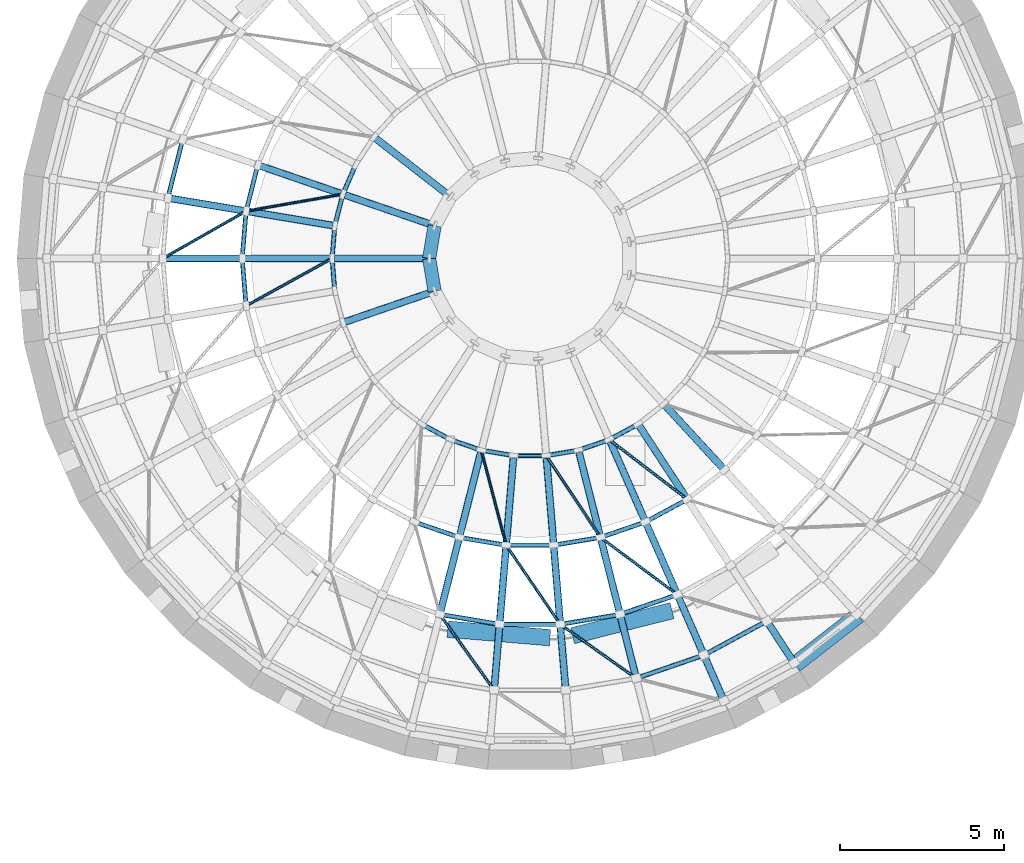
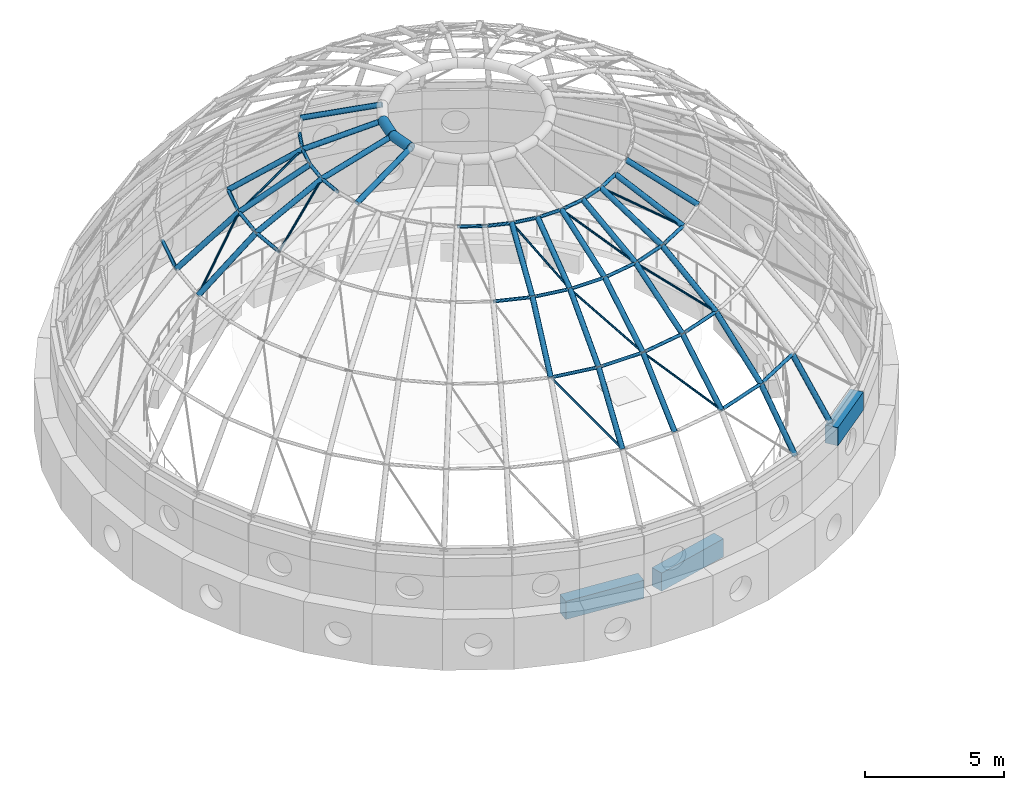
# One storey, part 29 of 98: 66 members, 3 beams.
"""IFC4 building model written with IfcOpenShell, lengths in metres."""

from ifc_helpers import new_model, si_unit, direction, frame, origin, origin_2d, place, context, subcontext, project, spatial, rectangle, hollow_circle, extrude, material, material_profile, profile_set, type_object, element, save


model = new_model("IFC4")

# Units and contexts
model_context = context("Model", 3, precision=1e-05, world=origin(), true_north=direction((0.0, 1.0)))
body_context = subcontext(model_context, "Body", "Model", "MODEL_VIEW")
ifc_project = project(units=[si_unit("LENGTHUNIT", "METRE"), si_unit("AREAUNIT", "SQUARE_METRE"), si_unit("VOLUMEUNIT", "CUBIC_METRE"), si_unit("PLANEANGLEUNIT", "RADIAN"), si_unit("MASSUNIT", "GRAM", prefix="KILO")], contexts=[model_context])

# Site, building, storey
site_placement = place(None, origin())
site = spatial("IfcSite", under=ifc_project, at=site_placement, CompositionType="ELEMENT")
building_placement = place(site_placement, origin())
building = spatial("IfcBuilding", under=site, at=building_placement, Name="Sun Court Science Centre", CompositionType="ELEMENT")
storey_placement = place(building_placement, frame((0.0, 0.0, 15.75)))
storey = spatial("IfcBuildingStorey", under=building, at=storey_placement, Name="L03", CompositionType="ELEMENT", Elevation=15.75)

# Members
ifc_material_1 = material(Name="Steel S355", Category="steel")
ifc_material_profile_1 = material_profile(ifc_material_1, hollow_circle(Radius=0.04443359375, WallThickness=0.0048828125, at=origin_2d()), Name="CHS 88.9x5")
ifc_profile_set_1 = profile_set([ifc_material_profile_1], Name="Steel S355")
member_type_1 = type_object("IfcMemberType", Name="Dome brace CHS 88.9x5", PredefinedType="BRACE", material=ifc_profile_set_1)
for number, where, z_axis, x_axis, name in (
    (1, (45.30859375, 98.75390625, 12.534912109375), (-0.88989946232, -0.155484842113, -0.428839609686), (0.172114427102, -0.985076963482, 0.0), "Dome brace 2.17"),
    (2, (44.982666015625, 96.800048828125, 12.534912109375), (-0.791214776394, -0.435992078147, -0.428824072795), (0.482618839877, -0.875830494671, 0.0), "Dome brace 2.19"),
):
    element("IfcMember", number, at=place(storey_placement, frame(where, z_axis=z_axis, x_axis=x_axis)), inside=storey, type_object=member_type_1, Name=name, PredefinedType="BRACE", context=body_context, shape_type="SweptSolid", body=[
        extrude(hollow_circle(Radius=0.04443359375, WallThickness=0.0048828125, at=origin_2d()), origin(), (0.0, 0.0, 1.0), 3.3037109375),
    ])
for number, where, z_axis, x_axis, name in (
    (3, (49.522705078125, 90.966796875, 12.534912109375), (0.228411758918, -0.874038914424, -0.428817029117), (0.96750860125, 0.252838103353, 0.0), "Dome brace 2.27"),
    (4, (51.496826171875, 90.80322265625, 12.534912109375), (0.499817624355, -0.752534400715, -0.428805688074), (0.83300543587, 0.553264804421, 0.0), "Dome brace 2.29"),
):
    element("IfcMember", number, at=place(storey_placement, frame(where, z_axis=z_axis, x_axis=x_axis)), inside=storey, type_object=member_type_1, Name=name, PredefinedType="BRACE", context=body_context, shape_type="SweptSolid", body=[
        extrude(hollow_circle(Radius=0.04443359375, WallThickness=0.0048828125, at=origin_2d()), origin(), (0.0, 0.0, 1.0), 3.303955078125),
    ])
member_1_placement = place(storey_placement, frame((53.417236328125, 91.289306640625, 12.534912109375), z_axis=(0.717066112997, -0.549457544072, -0.428850319872), x_axis=(0.608227151754, 0.793763019969, 0.0)))
element("IfcMember", 5, at=member_1_placement, inside=storey, type_object=member_type_1, Name="Dome brace 2.31", PredefinedType="BRACE", context=body_context, shape_type="SweptSolid", body=[
    extrude(hollow_circle(Radius=0.04443359375, WallThickness=0.0048828125, at=origin_2d()), origin(), (0.0, 0.0, 1.0), 3.3037109375),
])
for number, where, z_axis, x_axis, name in (
    (6, (42.36865234375, 98.240234375, 11.1181640625), (-0.727111529744, -0.413300338597, -0.548171189894), (0.494161959723, -0.86936986235, 0.0), "Dome brace 3.18"),
    (7, (50.27734375, 88.0791015625, 11.1181640625), (0.472004712538, -0.690456648666, -0.548161625486), (0.825537318662, 0.564347530779, 0.0), "Dome brace 3.28"),
):
    element("IfcMember", number, at=place(storey_placement, frame(where, z_axis=z_axis, x_axis=x_axis)), inside=storey, type_object=member_type_1, Name=name, PredefinedType="BRACE", context=body_context, shape_type="SweptSolid", body=[
        extrude(hollow_circle(Radius=0.04443359375, WallThickness=0.0048828125, at=origin_2d()), origin(), (0.0, 0.0, 1.0), 3.484619140625),
    ])
member_2_placement = place(storey_placement, frame((53.148193359375, 88.31689453125, 11.1181640625), z_axis=(0.670599431866, -0.499779098057, -0.548194541314), x_axis=(0.597571100514, 0.801815926401, 0.0)))
element("IfcMember", 8, at=member_2_placement, inside=storey, type_object=member_type_1, Name="Dome brace 3.30", PredefinedType="BRACE", context=body_context, shape_type="SweptSolid", body=[
    extrude(hollow_circle(Radius=0.04443359375, WallThickness=0.0048828125, at=origin_2d()), origin(), (0.0, 0.0, 1.0), 3.484375),
])
for number, where, z_axis, x_axis, name in (
    (9, (48.259033203125, 85.9765625, 9.2080078125), (0.45013829399, -0.627215732736, -0.635591017001), (0.812428309097, 0.583061096779, 0.0), "Dome brace 4.27"),
    (10, (51.922119140625, 85.673095703125, 9.2080078125), (0.629365007574, -0.447096434405, -0.635613456107), (0.579134854938, 0.815231758334, 0.0), "Dome brace 4.29"),
):
    element("IfcMember", number, at=place(storey_placement, frame(where, z_axis=z_axis, x_axis=x_axis)), inside=storey, type_object=member_type_1, Name=name, PredefinedType="BRACE", context=body_context, shape_type="SweptSolid", body=[
        extrude(hollow_circle(Radius=0.04443359375, WallThickness=0.0048828125, at=origin_2d()), origin(), (0.0, 0.0, 1.0), 3.6728515625),
    ])
ifc_material_2 = material(Name="Steel S355", Category="steel")
ifc_material_profile_2 = material_profile(ifc_material_2, hollow_circle(Radius=0.203125, WallThickness=0.012451171875, at=origin_2d()), Name="CHS 406.4x12.5")
ifc_profile_set_2 = profile_set([ifc_material_profile_2], Name="Steel S355")
member_type_2 = type_object("IfcMemberType", Name="Dome compression ring CHS 406.4x12.5", PredefinedType="MEMBER", material=ifc_profile_set_2)
for number, where, z_axis, x_axis, name in (
    (11, (48.1015625, 97.795166015625, 13.406005859375), (-0.164791381444, -0.986328444587, 0.0), (0.986328444587, -0.164791381444, 0.0), "Dome compression ring 9"),
    (12, (47.935302734375, 96.800048828125, 13.406005859375), (0.164791381444, -0.986328444587, 0.0), (0.986328444587, 0.164791381444, 0.0), "Dome compression ring 10"),
):
    element("IfcMember", number, at=place(storey_placement, frame(where, z_axis=z_axis, x_axis=x_axis)), inside=storey, type_object=member_type_2, Name=name, PredefinedType="MEMBER", context=body_context, shape_type="SweptSolid", body=[
        extrude(hollow_circle(Radius=0.203125, WallThickness=0.012451171875, at=origin_2d()), origin(), (0.0, 0.0, 1.0), 1.0087890625),
    ])
ifc_material_3 = material(Name="Steel S355", Category="steel")
ifc_material_profile_3 = material_profile(ifc_material_3, hollow_circle(Radius=0.109619140625, WallThickness=0.010009765625, at=origin_2d()), Name="CHS 219.1x10")
ifc_profile_set_3 = profile_set([ifc_material_profile_3], Name="Steel S355")
member_type_3 = type_object("IfcMemberType", Name="Dome rib CHS 219.1x10", PredefinedType="RAFTER", material=ifc_profile_set_3)
member_3_placement = place(storey_placement, frame((46.25146484375, 100.495849609375, 12.534912109375), z_axis=(0.756903324082, -0.589090307133, 0.282966372624), x_axis=(0.614192456885, 0.789156274705, 0.0)))
element("IfcMember", 13, at=member_3_placement, inside=storey, type_object=member_type_3, Name="Dome rib 15", PredefinedType="RAFTER", context=body_context, shape_type="SweptSolid", body=[
    extrude(hollow_circle(Radius=0.109619140625, WallThickness=0.010009765625, at=origin_2d()), origin(), (0.0, 0.0, 1.0), 3.078369140625),
])
member_4_placement = place(storey_placement, frame((42.723388671875, 99.641357421875, 11.1181640625), z_axis=(0.839722834307, -0.288260695316, 0.460186193926), x_axis=(0.324682825787, 0.945822955229, 0.0)))
element("IfcMember", 14, at=member_4_placement, inside=storey, type_object=member_type_3, Name="Dome rib 17", PredefinedType="RAFTER", context=body_context, shape_type="SweptSolid", body=[
    extrude(hollow_circle(Radius=0.109619140625, WallThickness=0.010009765625, at=origin_2d()), origin(), (0.0, 0.0, 1.0), 3.07861328125),
])
member_5_placement = place(storey_placement, frame((45.30859375, 98.75390625, 12.534912109375), z_axis=(0.907178120378, -0.311406335553, 0.282938071111), x_axis=(0.324673068091, 0.945826304803, 0.0)))
element("IfcMember", 15, at=member_5_placement, inside=storey, type_object=member_type_3, Name="Dome rib 17", PredefinedType="RAFTER", context=body_context, shape_type="SweptSolid", body=[
    extrude(hollow_circle(Radius=0.109619140625, WallThickness=0.010009765625, at=origin_2d()), origin(), (0.0, 0.0, 1.0), 3.078857421875),
])
for number, where, z_axis, x_axis, name in (
    (16, (39.9873046875, 98.6376953125, 9.2080078125), (0.773528223597, -0.12910641255, 0.620472095696), (0.164628559834, 0.986355634286, 0.0), "Dome rib 18"),
    (17, (42.36865234375, 98.240234375, 11.1181640625), (0.875723846543, -0.146072926318, 0.460185228786), (0.164529346299, 0.98637218848, 0.0), "Dome rib 18"),
    (18, (39.8349609375, 96.800048828125, 9.2080078125), (0.784230717941, 0.0, 0.620469323205), (0.0, 1.0, 0.0), "Dome rib 19"),
):
    element("IfcMember", number, at=place(storey_placement, frame(where, z_axis=z_axis, x_axis=x_axis)), inside=storey, type_object=member_type_3, Name=name, PredefinedType="RAFTER", context=body_context, shape_type="SweptSolid", body=[
        extrude(hollow_circle(Radius=0.109619140625, WallThickness=0.010009765625, at=origin_2d()), origin(), (0.0, 0.0, 1.0), 3.07861328125),
    ])
member_6_placement = place(storey_placement, frame((42.249267578125, 96.800048828125, 11.1181640625), z_axis=(0.887830132015, 0.0, 0.460171334055), x_axis=(0.0, 1.0, 0.0)))
element("IfcMember", 19, at=member_6_placement, inside=storey, type_object=member_type_3, Name="Dome rib 19", PredefinedType="RAFTER", context=body_context, shape_type="SweptSolid", body=[
    extrude(hollow_circle(Radius=0.109619140625, WallThickness=0.010009765625, at=origin_2d()), origin(), (0.0, 0.0, 1.0), 3.078857421875),
])
member_7_placement = place(storey_placement, frame((44.982666015625, 96.800048828125, 12.534912109375), z_axis=(0.959130281109, 0.0, 0.282964845626), x_axis=(0.0, 1.0, 0.0)))
element("IfcMember", 20, at=member_7_placement, inside=storey, type_object=member_type_3, Name="Dome rib 19", PredefinedType="RAFTER", context=body_context, shape_type="SweptSolid", body=[
    extrude(hollow_circle(Radius=0.109619140625, WallThickness=0.010009765625, at=origin_2d()), origin(), (0.0, 0.0, 1.0), 3.078369140625),
])
member_8_placement = place(storey_placement, frame((45.30859375, 94.84619140625, 12.534912109375), z_axis=(0.907178120378, 0.311406335553, 0.282938071111), x_axis=(-0.324673068091, 0.945826304803, 0.0)))
element("IfcMember", 21, at=member_8_placement, inside=storey, type_object=member_type_3, Name="Dome rib 21", PredefinedType="RAFTER", context=body_context, shape_type="SweptSolid", body=[
    extrude(hollow_circle(Radius=0.109619140625, WallThickness=0.010009765625, at=origin_2d()), origin(), (0.0, 0.0, 1.0), 3.078857421875),
])
member_9_placement = place(storey_placement, frame((48.259033203125, 85.9765625, 9.2080078125), z_axis=(0.192551982842, 0.760215530282, 0.620480524611), x_axis=(-0.969388349726, 0.245532538403, 0.0)))
element("IfcMember", 22, at=member_9_placement, inside=storey, type_object=member_type_3, Name="Dome rib 27", PredefinedType="RAFTER", context=body_context, shape_type="SweptSolid", body=[
    extrude(hollow_circle(Radius=0.109619140625, WallThickness=0.010009765625, at=origin_2d()), origin(), (0.0, 0.0, 1.0), 3.07861328125),
])
member_10_placement = place(storey_placement, frame((48.851806640625, 88.31689453125, 11.1181640625), z_axis=(0.217906162725, 0.860681764997, 0.460156281765), x_axis=(-0.969413146722, 0.245434616472, 0.0)))
element("IfcMember", 23, at=member_10_placement, inside=storey, type_object=member_type_3, Name="Dome rib 27", PredefinedType="RAFTER", context=body_context, shape_type="SweptSolid", body=[
    extrude(hollow_circle(Radius=0.109619140625, WallThickness=0.010009765625, at=origin_2d()), origin(), (0.0, 0.0, 1.0), 3.078857421875),
])
for number, where, z_axis, x_axis, name in (
    (24, (49.912353515625, 83.6728515625, 6.87353515625), (0.053766061004, 0.64971288762, 0.758275922303), (-0.996593410003, 0.082471662637, 0.0), "Dome rib 28"),
    (25, (50.077880859375, 85.673095703125, 9.2080078125), (0.064791603479, 0.781543760452, 0.620476751068), (-0.996581234746, 0.082618657411, 0.0), "Dome rib 28"),
):
    element("IfcMember", number, at=place(storey_placement, frame(where, z_axis=z_axis, x_axis=x_axis)), inside=storey, type_object=member_type_3, Name=name, PredefinedType="RAFTER", context=body_context, shape_type="SweptSolid", body=[
        extrude(hollow_circle(Radius=0.109619140625, WallThickness=0.010009765625, at=origin_2d()), origin(), (0.0, 0.0, 1.0), 3.07861328125),
    ])
member_11_placement = place(storey_placement, frame((50.27734375, 88.0791015625, 11.1181640625), z_axis=(0.073350029759, 0.884799602217, 0.460162402909), x_axis=(-0.996581392194, 0.082616758181, 0.0)))
element("IfcMember", 26, at=member_11_placement, inside=storey, type_object=member_type_3, Name="Dome rib 28", PredefinedType="RAFTER", context=body_context, shape_type="SweptSolid", body=[
    extrude(hollow_circle(Radius=0.109619140625, WallThickness=0.010009765625, at=origin_2d()), origin(), (0.0, 0.0, 1.0), 3.078857421875),
])
for number, where, z_axis, x_axis, name in (
    (27, (52.087646484375, 83.6728515625, 6.87353515625), (-0.053766061004, 0.64971288762, 0.758275922303), (-0.996593410003, -0.082471662637, 0.0), "Dome rib 29"),
    (28, (51.922119140625, 85.673095703125, 9.2080078125), (-0.064791603479, 0.781543760452, 0.620476751068), (-0.996581234746, -0.082618657411, 0.0), "Dome rib 29"),
):
    element("IfcMember", number, at=place(storey_placement, frame(where, z_axis=z_axis, x_axis=x_axis)), inside=storey, type_object=member_type_3, Name=name, PredefinedType="RAFTER", context=body_context, shape_type="SweptSolid", body=[
        extrude(hollow_circle(Radius=0.109619140625, WallThickness=0.010009765625, at=origin_2d()), origin(), (0.0, 0.0, 1.0), 3.07861328125),
    ])
member_12_placement = place(storey_placement, frame((51.72265625, 88.0791015625, 11.1181640625), z_axis=(-0.073350029759, 0.884799602217, 0.460162402909), x_axis=(-0.996581392194, -0.082616758181, 0.0)))
element("IfcMember", 29, at=member_12_placement, inside=storey, type_object=member_type_3, Name="Dome rib 29", PredefinedType="RAFTER", context=body_context, shape_type="SweptSolid", body=[
    extrude(hollow_circle(Radius=0.109619140625, WallThickness=0.010009765625, at=origin_2d()), origin(), (0.0, 0.0, 1.0), 3.078857421875),
])
for number, where, z_axis, x_axis, name in (
    (30, (54.233642578125, 84.031005859375, 6.87353515625), (-0.160033215903, 0.631964666764, 0.758294157811), (-0.96940098593, -0.245482643946, 0.0), "Dome rib 30"),
    (31, (53.740966796875, 85.9765625, 9.2080078125), (-0.192551982842, 0.760215530282, 0.620480524611), (-0.969388349726, -0.245532538403, 0.0), "Dome rib 30"),
):
    element("IfcMember", number, at=place(storey_placement, frame(where, z_axis=z_axis, x_axis=x_axis)), inside=storey, type_object=member_type_3, Name=name, PredefinedType="RAFTER", context=body_context, shape_type="SweptSolid", body=[
        extrude(hollow_circle(Radius=0.109619140625, WallThickness=0.010009765625, at=origin_2d()), origin(), (0.0, 0.0, 1.0), 3.07861328125),
    ])
member_13_placement = place(storey_placement, frame((53.148193359375, 88.31689453125, 11.1181640625), z_axis=(-0.217906162725, 0.860681764997, 0.460156281765), x_axis=(-0.969413146722, -0.245434616472, 0.0)))
element("IfcMember", 32, at=member_13_placement, inside=storey, type_object=member_type_3, Name="Dome rib 30", PredefinedType="RAFTER", context=body_context, shape_type="SweptSolid", body=[
    extrude(hollow_circle(Radius=0.109619140625, WallThickness=0.010009765625, at=origin_2d()), origin(), (0.0, 0.0, 1.0), 3.078857421875),
])
member_14_placement = place(storey_placement, frame((56.904541015625, 83.33935546875, 4.35009765625), z_axis=(-0.207944372244, 0.474000587368, 0.855618245029), x_axis=(-0.915753115057, -0.401741499305, 0.0)))
element("IfcMember", 33, at=member_14_placement, inside=storey, type_object=member_type_3, Name="Dome rib 31", PredefinedType="RAFTER", context=body_context, shape_type="SweptSolid", body=[
    extrude(hollow_circle(Radius=0.109619140625, WallThickness=0.010009765625, at=origin_2d()), origin(), (0.0, 0.0, 1.0), 2.94921875),
])
member_15_placement = place(storey_placement, frame((56.291259765625, 84.7373046875, 6.87353515625), z_axis=(-0.261922294171, 0.597036921832, 0.758250371438), x_axis=(-0.915752099138, -0.401743815042, 0.0)))
element("IfcMember", 34, at=member_15_placement, inside=storey, type_object=member_type_3, Name="Dome rib 31", PredefinedType="RAFTER", context=body_context, shape_type="SweptSolid", body=[
    extrude(hollow_circle(Radius=0.109619140625, WallThickness=0.010009765625, at=origin_2d()), origin(), (0.0, 0.0, 1.0), 3.078857421875),
])
for number, where, z_axis, x_axis, name in (
    (35, (55.48486328125, 86.575439453125, 9.2080078125), (-0.314997221206, 0.718180975641, 0.62047791005), (-0.91578559843, -0.401667446661, 0.0), "Dome rib 31"),
    (36, (54.51513671875, 88.786376953125, 11.1181640625), (-0.356633815491, 0.813033105717, 0.460205922013), (-0.915771491056, -0.401699609372, 0.0), "Dome rib 31"),
):
    element("IfcMember", number, at=place(storey_placement, frame(where, z_axis=z_axis, x_axis=x_axis)), inside=storey, type_object=member_type_3, Name=name, PredefinedType="RAFTER", context=body_context, shape_type="SweptSolid", body=[
        extrude(hollow_circle(Radius=0.109619140625, WallThickness=0.010009765625, at=origin_2d()), origin(), (0.0, 0.0, 1.0), 3.07861328125),
    ])
member_16_placement = place(storey_placement, frame((59.03955078125, 84.49462890625, 4.35009765625), z_axis=(-0.283180847183, 0.433338712366, 0.855585278131), x_axis=(-0.837107620149, -0.547038236587, 0.0)))
element("IfcMember", 37, at=member_16_placement, inside=storey, type_object=member_type_3, Name="Dome rib 32", PredefinedType="RAFTER", context=body_context, shape_type="SweptSolid", body=[
    extrude(hollow_circle(Radius=0.109619140625, WallThickness=0.010009765625, at=origin_2d()), origin(), (0.0, 0.0, 1.0), 2.949462890625),
])
member_17_placement = place(storey_placement, frame((55.7861328125, 89.47412109375, 11.1181640625), z_axis=(-0.485556373275, 0.743282686054, 0.460180244017), x_axis=(-0.837194555092, -0.546905180927, 0.0)))
element("IfcMember", 38, at=member_17_placement, inside=storey, type_object=member_type_3, Name="Dome rib 32", PredefinedType="RAFTER", context=body_context, shape_type="SweptSolid", body=[
    extrude(hollow_circle(Radius=0.109619140625, WallThickness=0.010009765625, at=origin_2d()), origin(), (0.0, 0.0, 1.0), 3.07861328125),
])
member_18_placement = place(storey_placement, frame((56.9267578125, 90.36181640625, 11.1181640625), z_axis=(-0.601323996886, 0.653185515278, 0.460171852029), x_axis=(-0.735710232443, -0.677296429843, 0.0)))
element("IfcMember", 39, at=member_18_placement, inside=storey, type_object=member_type_3, Name="Dome rib 33", PredefinedType="RAFTER", context=body_context, shape_type="SweptSolid", body=[
    extrude(hollow_circle(Radius=0.109619140625, WallThickness=0.010009765625, at=origin_2d()), origin(), (0.0, 0.0, 1.0), 3.078857421875),
])
ifc_material_4 = material(Name="Steel S355", Category="steel")
ifc_material_profile_4 = material_profile(ifc_material_4, hollow_circle(Radius=0.06982421875, WallThickness=0.00634765625, at=origin_2d()), Name="CHS 139.7x6.3")
ifc_profile_set_4 = profile_set([ifc_material_profile_4], Name="Steel S355")
member_type_4 = type_object("IfcMemberType", Name="Dome ring CHS 139.7x6.3", PredefinedType="MEMBER", material=ifc_profile_set_4)
member_19_placement = place(storey_placement, frame((45.707763671875, 99.6640625, 12.534912109375), z_axis=(-0.401643422927, -0.915796134967, 0.0), x_axis=(0.915796134967, -0.401643422927, 0.0)))
element("IfcMember", 40, at=member_19_placement, inside=storey, type_object=member_type_4, Name="Dome ring 2 chord 16", PredefinedType="MEMBER", context=body_context, shape_type="SweptSolid", body=[
    extrude(hollow_circle(Radius=0.06982421875, WallThickness=0.00634765625, at=origin_2d()), origin(), (0.0, 0.0, 1.0), 0.993896484375),
])
member_20_placement = place(storey_placement, frame((45.30859375, 98.75390625, 12.534912109375), z_axis=(-0.245424789416, -0.969415634669, 0.0), x_axis=(0.969415634669, -0.245424789416, 0.0)))
element("IfcMember", 41, at=member_20_placement, inside=storey, type_object=member_type_4, Name="Dome ring 2 chord 17", PredefinedType="MEMBER", context=body_context, shape_type="SweptSolid", body=[
    extrude(hollow_circle(Radius=0.06982421875, WallThickness=0.00634765625, at=origin_2d()), origin(), (0.0, 0.0, 1.0), 0.99365234375),
])
member_21_placement = place(storey_placement, frame((42.723388671875, 99.641357421875, 11.1181640625), z_axis=(-0.245435932736, -0.969412813471, 0.0), x_axis=(0.969412813471, -0.245435932736, 0.0)))
element("IfcMember", 42, at=member_21_placement, inside=storey, type_object=member_type_4, Name="Dome ring 3 chord 17", PredefinedType="MEMBER", context=body_context, shape_type="SweptSolid", body=[
    extrude(hollow_circle(Radius=0.06982421875, WallThickness=0.00634765625, at=origin_2d()), origin(), (0.0, 0.0, 1.0), 1.4453125),
])
member_22_placement = place(storey_placement, frame((40.43994140625, 100.42529296875, 9.2080078125), z_axis=(-0.245462815718, -0.969406006841, 0.0), x_axis=(0.969406006841, -0.245462815718, 0.0)))
element("IfcMember", 43, at=member_22_placement, inside=storey, type_object=member_type_4, Name="Dome ring 4 chord 17", PredefinedType="MEMBER", context=body_context, shape_type="SweptSolid", body=[
    extrude(hollow_circle(Radius=0.06982421875, WallThickness=0.00634765625, at=origin_2d()), origin(), (0.0, 0.0, 1.0), 1.843994140625),
])
member_23_placement = place(storey_placement, frame((45.064697265625, 97.79052734375, 12.534912109375), z_axis=(-0.082537234849, -0.996587981497, 0.0), x_axis=(0.996587981497, -0.082537234849, 0.0)))
element("IfcMember", 44, at=member_23_placement, inside=storey, type_object=member_type_4, Name="Dome ring 2 chord 18", PredefinedType="MEMBER", context=body_context, shape_type="SweptSolid", body=[
    extrude(hollow_circle(Radius=0.06982421875, WallThickness=0.00634765625, at=origin_2d()), origin(), (0.0, 0.0, 1.0), 0.993896484375),
])
member_24_placement = place(storey_placement, frame((42.36865234375, 98.240234375, 11.1181640625), z_axis=(-0.082612051463, -0.996581782371, 0.0), x_axis=(0.996581782371, -0.082612051463, 0.0)))
element("IfcMember", 45, at=member_24_placement, inside=storey, type_object=member_type_4, Name="Dome ring 3 chord 18", PredefinedType="MEMBER", context=body_context, shape_type="SweptSolid", body=[
    extrude(hollow_circle(Radius=0.06982421875, WallThickness=0.00634765625, at=origin_2d()), origin(), (0.0, 0.0, 1.0), 1.445068359375),
])
member_25_placement = place(storey_placement, frame((44.982666015625, 96.800048828125, 12.534912109375), z_axis=(0.082537234849, -0.996587981497, 0.0), x_axis=(0.996587981497, 0.082537234849, 0.0)))
element("IfcMember", 46, at=member_25_placement, inside=storey, type_object=member_type_4, Name="Dome ring 2 chord 19", PredefinedType="MEMBER", context=body_context, shape_type="SweptSolid", body=[
    extrude(hollow_circle(Radius=0.06982421875, WallThickness=0.00634765625, at=origin_2d()), origin(), (0.0, 0.0, 1.0), 0.993896484375),
])
member_26_placement = place(storey_placement, frame((42.249267578125, 96.800048828125, 11.1181640625), z_axis=(0.082598144957, -0.996582935058, 0.0), x_axis=(0.996582935058, 0.082598144957, 0.0)))
element("IfcMember", 47, at=member_26_placement, inside=storey, type_object=member_type_4, Name="Dome ring 3 chord 19", PredefinedType="MEMBER", context=body_context, shape_type="SweptSolid", body=[
    extrude(hollow_circle(Radius=0.06982421875, WallThickness=0.00634765625, at=origin_2d()), origin(), (0.0, 0.0, 1.0), 1.4453125),
])
member_27_placement = place(storey_placement, frame((47.708740234375, 91.762451171875, 12.534912109375), z_axis=(0.879411958848, -0.476061557611, 0.0), x_axis=(0.476061557611, 0.879411958848, 0.0)))
element("IfcMember", 48, at=member_27_placement, inside=storey, type_object=member_type_4, Name="Dome ring 2 chord 25", PredefinedType="MEMBER", context=body_context, shape_type="SweptSolid", body=[
    extrude(hollow_circle(Radius=0.06982421875, WallThickness=0.00634765625, at=origin_2d()), origin(), (0.0, 0.0, 1.0), 0.993896484375),
])
member_28_placement = place(storey_placement, frame((48.582763671875, 91.289306640625, 12.534912109375), z_axis=(0.945870547225, -0.324544153996, 0.0), x_axis=(0.324544153996, 0.945870547225, 0.0)))
element("IfcMember", 49, at=member_28_placement, inside=storey, type_object=member_type_4, Name="Dome ring 2 chord 26", PredefinedType="MEMBER", context=body_context, shape_type="SweptSolid", body=[
    extrude(hollow_circle(Radius=0.06982421875, WallThickness=0.00634765625, at=origin_2d()), origin(), (0.0, 0.0, 1.0), 0.99365234375),
])
member_29_placement = place(storey_placement, frame((47.48486328125, 88.786376953125, 11.1181640625), z_axis=(0.945772574298, -0.324829551773, 0.0), x_axis=(0.324829551773, 0.945772574298, 0.0)))
element("IfcMember", 50, at=member_29_placement, inside=storey, type_object=member_type_4, Name="Dome ring 3 chord 26", PredefinedType="MEMBER", context=body_context, shape_type="SweptSolid", body=[
    extrude(hollow_circle(Radius=0.06982421875, WallThickness=0.00634765625, at=origin_2d()), origin(), (0.0, 0.0, 1.0), 1.4453125),
])
member_30_placement = place(storey_placement, frame((49.522705078125, 90.966796875, 12.534912109375), z_axis=(0.986367358599, -0.164558299368, 0.0), x_axis=(0.164558299368, 0.986367358599, 0.0)))
element("IfcMember", 51, at=member_30_placement, inside=storey, type_object=member_type_4, Name="Dome ring 2 chord 27", PredefinedType="MEMBER", context=body_context, shape_type="SweptSolid", body=[
    extrude(hollow_circle(Radius=0.06982421875, WallThickness=0.00634765625, at=origin_2d()), origin(), (0.0, 0.0, 1.0), 0.994140625),
])
member_31_placement = place(storey_placement, frame((48.851806640625, 88.31689453125, 11.1181640625), z_axis=(0.986371086203, -0.164535954438, 0.0), x_axis=(0.164535954438, 0.986371086203, 0.0)))
element("IfcMember", 52, at=member_31_placement, inside=storey, type_object=member_type_4, Name="Dome ring 3 chord 27", PredefinedType="MEMBER", context=body_context, shape_type="SweptSolid", body=[
    extrude(hollow_circle(Radius=0.06982421875, WallThickness=0.00634765625, at=origin_2d()), origin(), (0.0, 0.0, 1.0), 1.4453125),
])
member_32_placement = place(storey_placement, frame((48.259033203125, 85.9765625, 9.2080078125), z_axis=(0.986365282278, -0.164570744412, 0.0), x_axis=(0.164570744412, 0.986365282278, 0.0)))
element("IfcMember", 53, at=member_32_placement, inside=storey, type_object=member_type_4, Name="Dome ring 4 chord 27", PredefinedType="MEMBER", context=body_context, shape_type="SweptSolid", body=[
    extrude(hollow_circle(Radius=0.06982421875, WallThickness=0.00634765625, at=origin_2d()), origin(), (0.0, 0.0, 1.0), 1.843994140625),
])
member_33_placement = place(storey_placement, frame((50.503173828125, 90.80322265625, 12.534912109375), z_axis=(1.0, 0.0, 0.0), x_axis=(0.0, 1.0, 0.0)))
element("IfcMember", 54, at=member_33_placement, inside=storey, type_object=member_type_4, Name="Dome ring 2 chord 28", PredefinedType="MEMBER", context=body_context, shape_type="SweptSolid", body=[
    extrude(hollow_circle(Radius=0.06982421875, WallThickness=0.00634765625, at=origin_2d()), origin(), (0.0, 0.0, 1.0), 0.99365234375),
])
member_34_placement = place(storey_placement, frame((50.27734375, 88.0791015625, 11.1181640625), z_axis=(1.0, 0.0, 0.0), x_axis=(0.0, 1.0, 0.0)))
element("IfcMember", 55, at=member_34_placement, inside=storey, type_object=member_type_4, Name="Dome ring 3 chord 28", PredefinedType="MEMBER", context=body_context, shape_type="SweptSolid", body=[
    extrude(hollow_circle(Radius=0.06982421875, WallThickness=0.00634765625, at=origin_2d()), origin(), (0.0, 0.0, 1.0), 1.4453125),
])
member_35_placement = place(storey_placement, frame((50.077880859375, 85.673095703125, 9.2080078125), z_axis=(1.0, 0.0, 0.0), x_axis=(0.0, 1.0, 0.0)))
element("IfcMember", 56, at=member_35_placement, inside=storey, type_object=member_type_4, Name="Dome ring 4 chord 28", PredefinedType="MEMBER", context=body_context, shape_type="SweptSolid", body=[
    extrude(hollow_circle(Radius=0.06982421875, WallThickness=0.00634765625, at=origin_2d()), origin(), (0.0, 0.0, 1.0), 1.84423828125),
])
member_36_placement = place(storey_placement, frame((51.496826171875, 90.80322265625, 12.534912109375), z_axis=(0.986367358599, 0.164558299368, 0.0), x_axis=(-0.164558299368, 0.986367358599, 0.0)))
element("IfcMember", 57, at=member_36_placement, inside=storey, type_object=member_type_4, Name="Dome ring 2 chord 29", PredefinedType="MEMBER", context=body_context, shape_type="SweptSolid", body=[
    extrude(hollow_circle(Radius=0.06982421875, WallThickness=0.00634765625, at=origin_2d()), origin(), (0.0, 0.0, 1.0), 0.994140625),
])
member_37_placement = place(storey_placement, frame((51.72265625, 88.0791015625, 11.1181640625), z_axis=(0.986371086203, 0.164535954438, 0.0), x_axis=(-0.164535954438, 0.986371086203, 0.0)))
element("IfcMember", 58, at=member_37_placement, inside=storey, type_object=member_type_4, Name="Dome ring 3 chord 29", PredefinedType="MEMBER", context=body_context, shape_type="SweptSolid", body=[
    extrude(hollow_circle(Radius=0.06982421875, WallThickness=0.00634765625, at=origin_2d()), origin(), (0.0, 0.0, 1.0), 1.4453125),
])
member_38_placement = place(storey_placement, frame((51.922119140625, 85.673095703125, 9.2080078125), z_axis=(0.986365282278, 0.164570744412, 0.0), x_axis=(-0.164570744412, 0.986365282278, 0.0)))
element("IfcMember", 59, at=member_38_placement, inside=storey, type_object=member_type_4, Name="Dome ring 4 chord 29", PredefinedType="MEMBER", context=body_context, shape_type="SweptSolid", body=[
    extrude(hollow_circle(Radius=0.06982421875, WallThickness=0.00634765625, at=origin_2d()), origin(), (0.0, 0.0, 1.0), 1.843994140625),
])
member_39_placement = place(storey_placement, frame((52.477294921875, 90.966796875, 12.534912109375), z_axis=(0.945870547225, 0.324544153996, 0.0), x_axis=(-0.324544153996, 0.945870547225, 0.0)))
element("IfcMember", 60, at=member_39_placement, inside=storey, type_object=member_type_4, Name="Dome ring 2 chord 30", PredefinedType="MEMBER", context=body_context, shape_type="SweptSolid", body=[
    extrude(hollow_circle(Radius=0.06982421875, WallThickness=0.00634765625, at=origin_2d()), origin(), (0.0, 0.0, 1.0), 0.99365234375),
])
member_40_placement = place(storey_placement, frame((53.148193359375, 88.31689453125, 11.1181640625), z_axis=(0.945772574298, 0.324829551773, 0.0), x_axis=(-0.324829551773, 0.945772574298, 0.0)))
element("IfcMember", 61, at=member_40_placement, inside=storey, type_object=member_type_4, Name="Dome ring 3 chord 30", PredefinedType="MEMBER", context=body_context, shape_type="SweptSolid", body=[
    extrude(hollow_circle(Radius=0.06982421875, WallThickness=0.00634765625, at=origin_2d()), origin(), (0.0, 0.0, 1.0), 1.4453125),
])
member_41_placement = place(storey_placement, frame((53.740966796875, 85.9765625, 9.2080078125), z_axis=(0.945784503002, 0.324794818125, 0.0), x_axis=(-0.324794818125, 0.945784503002, 0.0)))
element("IfcMember", 62, at=member_41_placement, inside=storey, type_object=member_type_4, Name="Dome ring 4 chord 30", PredefinedType="MEMBER", context=body_context, shape_type="SweptSolid", body=[
    extrude(hollow_circle(Radius=0.06982421875, WallThickness=0.00634765625, at=origin_2d()), origin(), (0.0, 0.0, 1.0), 1.84375),
])
member_42_placement = place(storey_placement, frame((54.233642578125, 84.031005859375, 6.87353515625), z_axis=(0.945828823181, 0.324665731545, 0.0), x_axis=(-0.324665731545, 0.945828823181, 0.0)))
element("IfcMember", 63, at=member_42_placement, inside=storey, type_object=member_type_4, Name="Dome ring 5 chord 30", PredefinedType="MEMBER", context=body_context, shape_type="SweptSolid", body=[
    extrude(hollow_circle(Radius=0.06982421875, WallThickness=0.00634765625, at=origin_2d()), origin(), (0.0, 0.0, 1.0), 2.175537109375),
])
member_43_placement = place(storey_placement, frame((53.417236328125, 91.289306640625, 12.534912109375), z_axis=(0.879411958848, 0.476061557611, 0.0), x_axis=(-0.476061557611, 0.879411958848, 0.0)))
element("IfcMember", 64, at=member_43_placement, inside=storey, type_object=member_type_4, Name="Dome ring 2 chord 31", PredefinedType="MEMBER", context=body_context, shape_type="SweptSolid", body=[
    extrude(hollow_circle(Radius=0.06982421875, WallThickness=0.00634765625, at=origin_2d()), origin(), (0.0, 0.0, 1.0), 0.993896484375),
])
member_44_placement = place(storey_placement, frame((54.51513671875, 88.786376953125, 11.1181640625), z_axis=(0.879498239452, 0.475902139942, 0.0), x_axis=(-0.475902139942, 0.879498239452, 0.0)))
element("IfcMember", 65, at=member_44_placement, inside=storey, type_object=member_type_4, Name="Dome ring 3 chord 31", PredefinedType="MEMBER", context=body_context, shape_type="SweptSolid", body=[
    extrude(hollow_circle(Radius=0.06982421875, WallThickness=0.00634765625, at=origin_2d()), origin(), (0.0, 0.0, 1.0), 1.445068359375),
])
member_45_placement = place(storey_placement, frame((56.291259765625, 84.7373046875, 6.87353515625), z_axis=(0.879456421799, 0.475979413585, 0.0), x_axis=(-0.475979413585, 0.879456421799, 0.0)))
element("IfcMember", 66, at=member_45_placement, inside=storey, type_object=member_type_4, Name="Dome ring 5 chord 31", PredefinedType="MEMBER", context=body_context, shape_type="SweptSolid", body=[
    extrude(hollow_circle(Radius=0.06982421875, WallThickness=0.00634765625, at=origin_2d()), origin(), (0.0, 0.0, 1.0), 2.17529296875),
])

# Beams
ifc_material_5 = material(Name="Concrete C25/30", Category="concrete")
ifc_material_profile_5 = material_profile(ifc_material_5, rectangle(XDim=0.5, YDim=0.800048828125, at=origin_2d()), Name="RC 500x800")
ifc_profile_set_5 = profile_set([ifc_material_profile_5], Name="Concrete C25/30")
beam_type = type_object("IfcBeamType", Name="RC girder 500x800", PredefinedType="BEAM", material=ifc_profile_set_5)
beam_1_placement = place(storey_placement, frame((59.067138671875, 84.452392578125, 3.800048828125), z_axis=(0.789082300875, 0.614287491689, 0.0), x_axis=(-0.614287491689, 0.789082300875, 0.0)))
element("IfcBeam", 67, at=beam_1_placement, inside=storey, type_object=beam_type, Name="Drum ring beam 32", PredefinedType="BEAM", context=body_context, shape_type="SweptSolid", body=[
    extrude(rectangle(XDim=0.5, YDim=0.800048828125, at=origin_2d()), origin(), (0.0, 0.0, 1.0), 2.435791015625),
])
beam_2_placement = place(storey_placement, frame((48.5009765625, 85.526123046875, -0.699951171875), z_axis=(0.996584516189, -0.082579065707, 0.0), x_axis=(0.082579065707, 0.996584516189, 0.0)))
element("IfcBeam", 68, at=beam_2_placement, inside=storey, type_object=beam_type, Name="Gallery ring beam", PredefinedType="BEAM", context=body_context, shape_type="SweptSolid", body=[
    extrude(rectangle(XDim=0.5, YDim=0.800048828125, at=origin_2d()), origin(), (0.0, 0.0, 1.0), 3.119140625),
])
beam_3_placement = place(storey_placement, frame((52.296875, 85.325439453125, -0.699951171875), z_axis=(0.969392092392, 0.245517761492, 0.0), x_axis=(-0.245517761492, 0.969392092392, 0.0)))
element("IfcBeam", 69, at=beam_3_placement, inside=storey, type_object=beam_type, Name="Gallery ring beam", PredefinedType="BEAM", context=body_context, shape_type="SweptSolid", body=[
    extrude(rectangle(XDim=0.5, YDim=0.800048828125, at=origin_2d()), origin(), (0.0, 0.0, 1.0), 3.119384765625),
])

save(model, "model.ifc")
